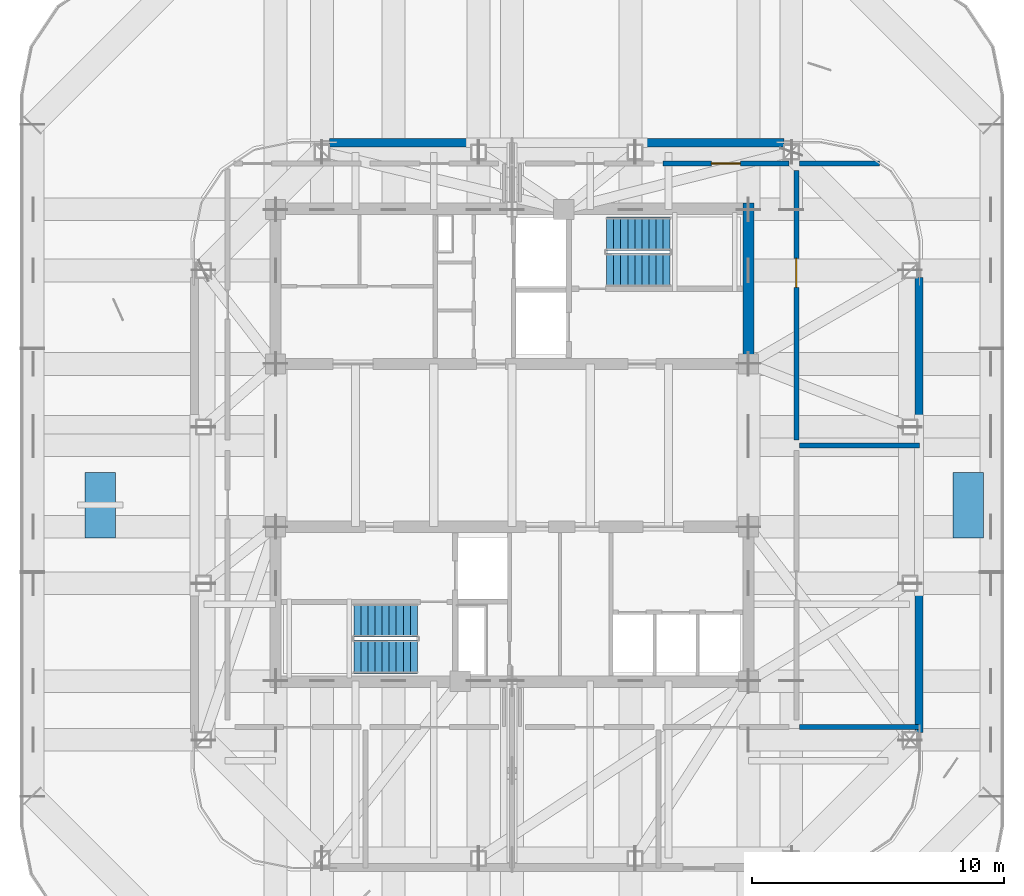
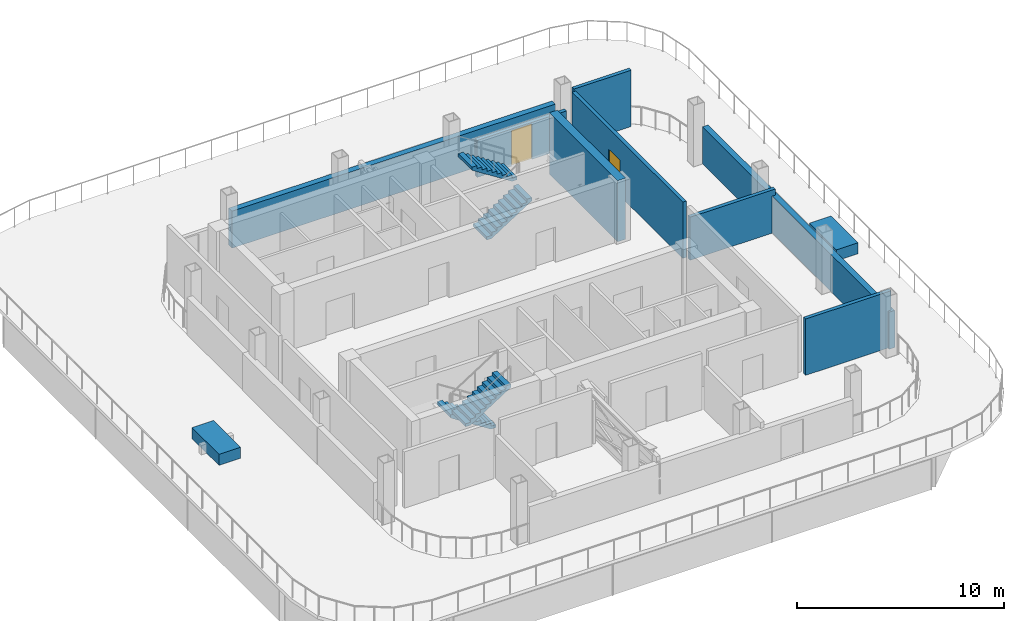
# One storey, part 6 of 10: 8 walls, 4 stair flights, 2 discrete accessories, 2 doors, 2 openings, 2 elements without a shape of their own.
"""IFC4 building model written with IfcOpenShell, lengths in metres."""

from ifc_helpers import new_model, si_unit, direction, frame, frame_2d, origin, origin_2d, place, context, subcontext, project, spatial, polyline, rectangle, outline, extrude, material, layer, layer_set, type_object, element, fill, aggregate, save


model = new_model("IFC4")

# Units and contexts
model_context = context("Model", 3, precision=1e-05, world=origin(), true_north=direction((0.0, 1.0)))
body_context = subcontext(model_context, "Body", "Model", "MODEL_VIEW")
ifc_project = project(units=[si_unit("LENGTHUNIT", "METRE"), si_unit("AREAUNIT", "SQUARE_METRE"), si_unit("VOLUMEUNIT", "CUBIC_METRE"), si_unit("PLANEANGLEUNIT", "RADIAN"), si_unit("MASSUNIT", "GRAM", prefix="KILO")], contexts=[model_context])

# Site, building, storey
site_placement = place(None, origin())
site = spatial("IfcSite", under=ifc_project, at=site_placement, CompositionType="ELEMENT")
building_placement = place(site_placement, origin())
building = spatial("IfcBuilding", under=site, at=building_placement, Name="Qhalaya Broadcast Tower", CompositionType="ELEMENT")
storey_placement = place(building_placement, frame((0.0, 0.0, 231.300048828125)))
storey = spatial("IfcBuildingStorey", under=building, at=storey_placement, Name="L68", CompositionType="ELEMENT", Elevation=231.300048828125)

# Wall, opening, door
ifc_material_1 = material(Name="Gypsum Acoustic Partition")
ifc_layer_1 = layer(ifc_material_1, 0.199951171875, Name="Gypsum Acoustic Partition")
ifc_layer_set_1 = layer_set([ifc_layer_1], Name="Gypsum Acoustic Partition")
wall_type_1 = type_object("IfcWallType", Name="Firefighting Lobby & Stair Enclosure Wall 200", PredefinedType="PARTITIONING", material=ifc_layer_set_1)
wall_1_placement = place(storey_placement, frame((10.969970703125, 11.77001953125, 0.0), z_axis=(0.0, 0.0, 1.0), x_axis=(-1.0, 0.0, 0.0)))
wall_1 = element("IfcWall", 1, at=wall_1_placement, inside=storey, type_object=wall_type_1, Name="L68 Partition Wall W-PCN3", PredefinedType="PARTITIONING", context=body_context, shape_type="SweptSolid", body=[
    extrude(rectangle(XDim=4.989990234375, YDim=0.199951171875, at=frame_2d((2.4951171875, 0.0))), origin(), (0.0, 0.0, 1.0), 2.181884765625),
])
opening_1_placement = place(wall_1_placement, frame((1.919921875, 0.0, 0.0)))
opening_1 = element("IfcOpeningElement", 2, at=opening_1_placement, cuts=wall_1, Name="Opening D05", PredefinedType="OPENING", context=body_context, shape_type="SweptSolid", body=[
    extrude(rectangle(XDim=1.14990234375, YDim=2.10009765625, at=frame_2d((0.574951171875, 1.050048828125))), frame((0.0, 0.112060546875, 0.0), z_axis=(0.0, -1.0, 0.0), x_axis=(1.0, 0.0, 0.0)), (0.0, 0.0, 1.0), 0.223876953125),
])
ifc_material_2 = material(Name="Fire-Rated Steel Door", Category="steel")
door_type = type_object("IfcDoorType", Name="Refuge & Plant Room Fire Door D05", OperationType="NOTDEFINED", PredefinedType="DOOR", material=ifc_material_2)
door_1_placement = place(opening_1_placement, origin())
door_1 = element("IfcDoor", 3, at=door_1_placement, inside=storey, type_object=door_type, Name="L68 Door D-PCN3", OperationType="SINGLE_SWING_LEFT", OverallHeight=2.10009765625, OverallWidth=1.14990234375, PredefinedType="DOOR", context=body_context, shape_type="SweptSolid", body=[
    extrude(rectangle(XDim=1.14990234375, YDim=2.10009765625, at=frame_2d((0.574951171875, 1.050048828125))), frame((0.0, 0.02490234375, 0.0), z_axis=(0.0, -1.0, 0.0), x_axis=(1.0, 0.0, 0.0)), (0.0, 0.0, 1.0), 0.050048828125),
])
fill(opening_1, door_1)

# Walls
wall_2_placement = place(storey_placement, frame((11.389892578125, 11.77001953125, 0.0), z_axis=(0.0, 0.0, 1.0), x_axis=(1.0, 0.0, 0.0)))
element("IfcWall", 4, at=wall_2_placement, inside=storey, type_object=wall_type_1, Name="L68 Partition Wall W-PBNE", PredefinedType="PARTITIONING", context=body_context, shape_type="SweptSolid", body=[
    extrude(rectangle(XDim=3.17578125, YDim=0.199951171875, at=frame_2d((1.587890625, 0.0))), origin(), (0.0, 0.0, 1.0), 3.320068359375),
])
wall_3_placement = place(storey_placement, frame((11.389892578125, -10.570068359375, 0.0), z_axis=(0.0, 0.0, 1.0), x_axis=(1.0, 0.0, 0.0)))
element("IfcWall", 5, at=wall_3_placement, inside=storey, type_object=wall_type_1, Name="L68 Partition Wall W-PBSE", PredefinedType="PARTITIONING", context=body_context, shape_type="SweptSolid", body=[
    extrude(rectangle(XDim=4.760009765625, YDim=0.199951171875, at=frame_2d((2.3798828125, 0.0))), origin(), (0.0, 0.0, 1.0), 3.320068359375),
])
wall_4_placement = place(storey_placement, frame((11.389892578125, 0.60009765625, 0.0), z_axis=(0.0, 0.0, 1.0), x_axis=(1.0, 0.0, 0.0)))
element("IfcWall", 6, at=wall_4_placement, inside=storey, type_object=wall_type_1, Name="L68 Partition Wall W-PDE1", PredefinedType="PARTITIONING", context=body_context, shape_type="SweptSolid", body=[
    extrude(rectangle(XDim=4.760009765625, YDim=0.199951171875, at=frame_2d((2.3798828125, 0.0))), origin(), (0.0, 0.0, 1.0), 2.537841796875),
])

# Wall, opening, door
wall_5_placement = place(storey_placement, frame((11.27001953125, 0.81005859375, 0.0), z_axis=(0.0, 0.0, 1.0), x_axis=(0.0, 1.0, 0.0)))
wall_5 = element("IfcWall", 7, at=wall_5_placement, inside=storey, type_object=wall_type_1, Name="L68 Partition Wall W-PCE2", PredefinedType="PARTITIONING", context=body_context, shape_type="SweptSolid", body=[
    extrude(rectangle(XDim=10.679931640625, YDim=0.199951171875, at=frame_2d((5.33984375, 0.0))), origin(), (0.0, 0.0, 1.0), 3.320068359375),
])
opening_2_placement = place(wall_5_placement, frame((6.047119140625, 0.0, 0.0)))
opening_2 = element("IfcOpeningElement", 8, at=opening_2_placement, cuts=wall_5, Name="Opening D05", PredefinedType="OPENING", context=body_context, shape_type="SweptSolid", body=[
    extrude(rectangle(XDim=1.14990234375, YDim=2.10009765625, at=frame_2d((0.574951171875, 1.050048828125))), frame((0.0, 0.112060546875, 0.0), z_axis=(0.0, -1.0, 0.0), x_axis=(1.0, 0.0, 0.0)), (0.0, 0.0, 1.0), 0.223876953125),
])
door_2_placement = place(opening_2_placement, origin())
door_2 = element("IfcDoor", 9, at=door_2_placement, inside=storey, type_object=door_type, Name="L68 Door D-PCE2", OperationType="SINGLE_SWING_LEFT", OverallHeight=2.10009765625, OverallWidth=1.14990234375, PredefinedType="DOOR", context=body_context, shape_type="SweptSolid", body=[
    extrude(rectangle(XDim=1.14990234375, YDim=2.10009765625, at=frame_2d((0.574951171875, 1.050048828125))), frame((0.0, 0.02490234375, 0.0), z_axis=(0.0, -1.0, 0.0), x_axis=(1.0, 0.0, 0.0)), (0.0, 0.0, 1.0), 0.050048828125),
])
fill(opening_2, door_2)

# Walls
ifc_material_3 = material(Name="Precast Concrete C40/50", Category="concrete")
ifc_layer_2 = layer(ifc_material_3, 0.320068359375, Name="Precast Concrete C40/50")
ifc_layer_set_2 = layer_set([ifc_layer_2], Name="Precast Concrete C40/50")
wall_type_2 = type_object("IfcWallType", Name="Recessed Neck Insulated Exterior Wall 320", PredefinedType="SOLIDWALL", material=ifc_layer_set_2)
for number, where, z_axis, x_axis, name in (
    (10, (16.1298828125, 7.241943359375, 0.0), (0.0, 0.0, 1.0), (0.0, -1.0, 0.0), "L68 Exterior Facade Wall E"),
    (11, (-7.241943359375, 12.590087890625, 0.0), (0.0, 0.0, 1.0), (1.0, 0.0, 0.0), "L68 Exterior Facade Wall N"),
):
    element("IfcWall", number, at=place(storey_placement, frame(where, z_axis=z_axis, x_axis=x_axis)), inside=storey, type_object=wall_type_2, Name=name, PredefinedType="SOLIDWALL", context=body_context, shape_type="SweptSolid", body=[
        extrude(rectangle(XDim=18.02392578125, YDim=0.320068359375, at=frame_2d((9.011962890625, 0.0))), origin(), (0.0, 0.0, 1.0), 2.181884765625),
    ])
ifc_material_4 = material(Name="Concrete C50/60", Category="concrete")
ifc_layer_3 = layer(ifc_material_4, 0.449951171875, Name="Concrete C50/60")
ifc_layer_set_3 = layer_set([ifc_layer_3], Name="Concrete C50/60")
wall_type_3 = type_object("IfcWallType", Name="Upper Split-Core Shear Wall 450", PredefinedType="SHEAR", material=ifc_layer_set_3)
wall_6_placement = place(storey_placement, frame((9.375, 3.60009765625, 0.0), z_axis=(0.0, 0.0, 1.0), x_axis=(0.0, 1.0, 0.0)))
element("IfcWall", 12, at=wall_6_placement, inside=storey, type_object=wall_type_3, Name="L68 Split-Core Shear Wall CW-NE", PredefinedType="SHEAR", context=body_context, shape_type="SweptSolid", body=[
    extrude(rectangle(XDim=6.599853515625, YDim=0.449951171875, at=frame_2d((3.2998046875, 0.0))), origin(), (0.0, 0.0, 1.0), 3.599853515625),
])

# Stair, stair flights
ifc_material_5 = material(Name="Concrete C40/50", Category="concrete")
stair_type = type_object("IfcStairType", Name="Protected Dogleg Core Stair 3600", PredefinedType="TWO_STRAIGHT_RUN_STAIR", material=ifc_material_5)
stair_1_placement = place(storey_placement, origin())
stair_1 = element("IfcStair", 13, at=stair_1_placement, inside=storey, type_object=stair_type, Name="L68 North Core Exit Stair ST-1", PredefinedType="TWO_STRAIGHT_RUN_STAIR")
stair_flight_type = type_object("IfcStairFlightType", Name="Precast Concrete Stair Flight 3600", PredefinedType="STRAIGHT", material=ifc_material_3)
stair_flight_1_placement = place(storey_placement, frame((3.75, 7.5400390625, 0.0), z_axis=(0.0, 0.0, 1.0), x_axis=(1.0, 0.0, 0.0)))
stair_flight_1 = element("IfcStairFlight", 14, at=stair_flight_1_placement, type_object=stair_flight_type, Name="ST-1 flight 1", NumberOfRisers=10, NumberOfTreads=9, PredefinedType="STRAIGHT", RiserHeight=0.18, TreadLength=0.28, context=body_context, shape_type="SweptSolid", body=[
    extrude(outline(polyline([(0.0, 0.0), (0.0, 0.179931640625), (0.280029296875, 0.179931640625), (0.280029296875, 0.360107421875), (0.56005859375, 0.360107421875), (0.56005859375, 0.5400390625), (0.840087890625, 0.5400390625), (0.840087890625, 0.719970703125), (1.1201171875, 0.719970703125), (1.1201171875, 0.89990234375), (1.39990234375, 0.89990234375), (1.39990234375, 1.080078125), (1.679931640625, 1.080078125), (1.679931640625, 1.260009765625), (1.9599609375, 1.260009765625), (1.9599609375, 1.43994140625), (2.239990234375, 1.43994140625), (2.239990234375, 1.6201171875), (2.52001953125, 1.6201171875), (2.52001953125, 1.800048828125), (2.52001953125, 1.44189453125), (0.277099609375, 0.0), (0.0, 0.0)])), frame((0.0, 0.66015625, 0.0), z_axis=(0.0, -1.0, 0.0), x_axis=(1.0, 0.0, 0.0)), (0.0, 0.0, 1.0), 1.320068359375),
])
stair_flight_2_placement = place(storey_placement, frame((6.27001953125, 8.97998046875, 1.800048828125), z_axis=(0.0, 0.0, 1.0), x_axis=(-1.0, 0.0, 0.0)))
stair_flight_2 = element("IfcStairFlight", 15, at=stair_flight_2_placement, type_object=stair_flight_type, Name="ST-1 flight 2", NumberOfRisers=10, NumberOfTreads=9, PredefinedType="STRAIGHT", RiserHeight=0.18, TreadLength=0.28, context=body_context, shape_type="SweptSolid", body=[
    extrude(outline(polyline([(0.0, 0.0), (0.0, 0.179931640625), (0.280029296875, 0.179931640625), (0.280029296875, 0.360107421875), (0.56005859375, 0.360107421875), (0.56005859375, 0.5400390625), (0.840087890625, 0.5400390625), (0.840087890625, 0.719970703125), (1.1201171875, 0.719970703125), (1.1201171875, 0.89990234375), (1.39990234375, 0.89990234375), (1.39990234375, 1.080078125), (1.679931640625, 1.080078125), (1.679931640625, 1.260009765625), (1.9599609375, 1.260009765625), (1.9599609375, 1.43994140625), (2.239990234375, 1.43994140625), (2.239990234375, 1.6201171875), (2.52001953125, 1.6201171875), (2.52001953125, 1.800048828125), (2.52001953125, 1.44189453125), (0.277099609375, 0.0), (0.0, 0.0)])), frame((0.0, 0.66015625, 0.0), z_axis=(0.0, -1.0, 0.0), x_axis=(1.0, 0.0, 0.0)), (0.0, 0.0, 1.0), 1.320068359375),
])
aggregate(stair_1, [stair_flight_1, stair_flight_2])

stair_2_placement = place(storey_placement, origin())
stair_2 = element("IfcStair", 16, at=stair_2_placement, inside=storey, type_object=stair_type, Name="L68 South Core Exit Stair ST-2", PredefinedType="TWO_STRAIGHT_RUN_STAIR")
stair_flight_3_placement = place(storey_placement, frame((-3.75, -6.340087890625, 0.0), z_axis=(0.0, 0.0, 1.0), x_axis=(-1.0, 0.0, 0.0)))
stair_flight_3 = element("IfcStairFlight", 17, at=stair_flight_3_placement, type_object=stair_flight_type, Name="ST-2 flight 1", NumberOfRisers=10, NumberOfTreads=9, PredefinedType="STRAIGHT", RiserHeight=0.18, TreadLength=0.28, context=body_context, shape_type="SweptSolid", body=[
    extrude(outline(polyline([(0.0, 0.0), (0.0, 0.179931640625), (0.280029296875, 0.179931640625), (0.280029296875, 0.360107421875), (0.56005859375, 0.360107421875), (0.56005859375, 0.5400390625), (0.840087890625, 0.5400390625), (0.840087890625, 0.719970703125), (1.1201171875, 0.719970703125), (1.1201171875, 0.89990234375), (1.39990234375, 0.89990234375), (1.39990234375, 1.080078125), (1.679931640625, 1.080078125), (1.679931640625, 1.260009765625), (1.9599609375, 1.260009765625), (1.9599609375, 1.43994140625), (2.239990234375, 1.43994140625), (2.239990234375, 1.6201171875), (2.52001953125, 1.6201171875), (2.52001953125, 1.800048828125), (2.52001953125, 1.44189453125), (0.277099609375, 0.0), (0.0, 0.0)])), frame((0.0, 0.66015625, 0.0), z_axis=(0.0, -1.0, 0.0), x_axis=(1.0, 0.0, 0.0)), (0.0, 0.0, 1.0), 1.320068359375),
])
stair_flight_4_placement = place(storey_placement, frame((-6.27001953125, -7.780029296875, 1.800048828125), z_axis=(0.0, 0.0, 1.0), x_axis=(1.0, 0.0, 0.0)))
stair_flight_4 = element("IfcStairFlight", 18, at=stair_flight_4_placement, type_object=stair_flight_type, Name="ST-2 flight 2", NumberOfRisers=10, NumberOfTreads=9, PredefinedType="STRAIGHT", RiserHeight=0.18, TreadLength=0.28, context=body_context, shape_type="SweptSolid", body=[
    extrude(outline(polyline([(0.0, 0.0), (0.0, 0.179931640625), (0.280029296875, 0.179931640625), (0.280029296875, 0.360107421875), (0.56005859375, 0.360107421875), (0.56005859375, 0.5400390625), (0.840087890625, 0.5400390625), (0.840087890625, 0.719970703125), (1.1201171875, 0.719970703125), (1.1201171875, 0.89990234375), (1.39990234375, 0.89990234375), (1.39990234375, 1.080078125), (1.679931640625, 1.080078125), (1.679931640625, 1.260009765625), (1.9599609375, 1.260009765625), (1.9599609375, 1.43994140625), (2.239990234375, 1.43994140625), (2.239990234375, 1.6201171875), (2.52001953125, 1.6201171875), (2.52001953125, 1.800048828125), (2.52001953125, 1.44189453125), (0.277099609375, 0.0), (0.0, 0.0)])), frame((0.0, 0.66015625, 0.0), z_axis=(0.0, -1.0, 0.0), x_axis=(1.0, 0.0, 0.0)), (0.0, 0.0, 1.0), 1.320068359375),
])
aggregate(stair_2, [stair_flight_3, stair_flight_4])

# Discrete accessories
ifc_material_6 = material(Name="Fired Architectural Terracotta", Category="masonry")
discrete_accessory_type = type_object("IfcDiscreteAccessoryType", Name="Terracotta Sky-Garden Planter Box PLN-01", PredefinedType="USERDEFINED", material=ifc_material_6)
for number, where, z_axis, x_axis, name in (
    (19, (-16.31494140625, -1.77001953125, 0.0), (0.0, 0.0, 1.0), (1.0, 0.0, 0.0), "L68 Sky Garden Planter PLN-11"),
    (20, (18.0849609375, -1.77001953125, 0.0), (0.0, 0.0, 1.0), (1.0, 0.0, 0.0), "L68 Sky Garden Planter PLN-12"),
):
    element("IfcDiscreteAccessory", number, at=place(storey_placement, frame(where, z_axis=z_axis, x_axis=x_axis)), inside=storey, type_object=discrete_accessory_type, Name=name, ObjectType="PLANTER", PredefinedType="USERDEFINED", context=body_context, shape_type="SweptSolid", body=[
        extrude(rectangle(XDim=1.199951171875, YDim=2.60009765625, at=origin_2d()), origin(), (0.0, 0.0, 1.0), 0.64990234375),
    ])

save(model, "model.ifc")
